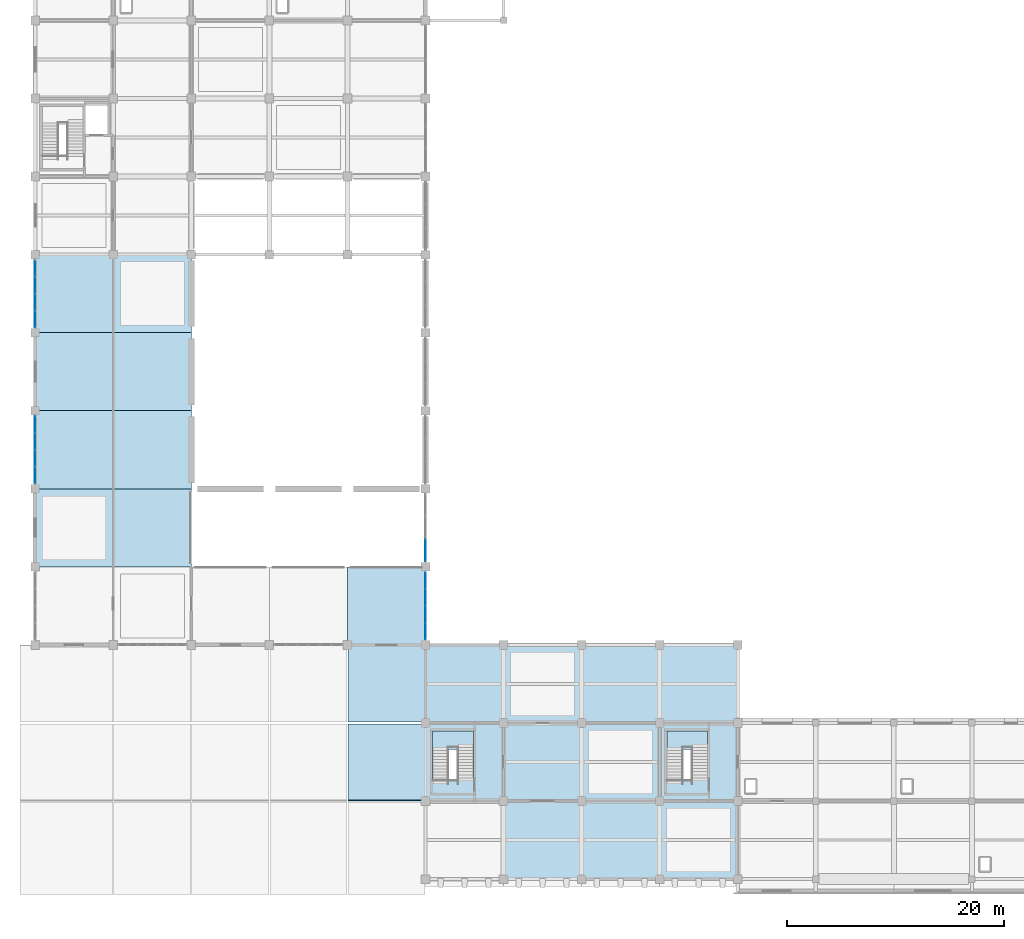
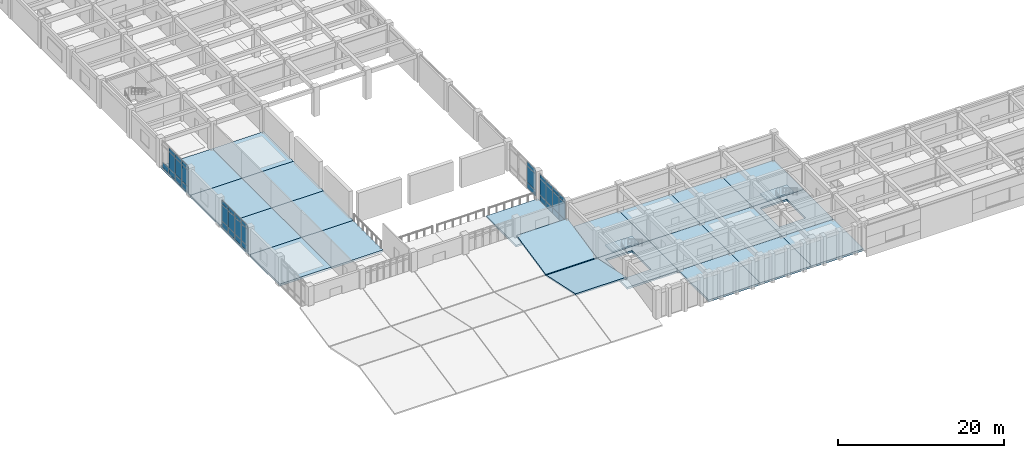
# One storey, part 33 of 70: 37 plates, 24 slabs, 6 elements without a shape of their own.
"""IFC4 building model written with IfcOpenShell, lengths in metres."""

from ifc_helpers import new_model, si_unit, direction, frame, origin, origin_2d, place, context, subcontext, project, spatial, polyline, rectangle, outline, extrude, material, layer, layer_set, type_object, element, aggregate, save


model = new_model("IFC4")

# Units and contexts
model_context = context("Model", 3, precision=1e-05, world=origin(), true_north=direction((0.0, 1.0)))
body_context = subcontext(model_context, "Body", "Model", "MODEL_VIEW")
ifc_project = project(units=[si_unit("LENGTHUNIT", "METRE"), si_unit("AREAUNIT", "SQUARE_METRE"), si_unit("VOLUMEUNIT", "CUBIC_METRE"), si_unit("PLANEANGLEUNIT", "RADIAN"), si_unit("MASSUNIT", "GRAM", prefix="KILO")], contexts=[model_context])

# Site, building, storey
site_placement = place(None, origin())
site = spatial("IfcSite", under=ifc_project, at=site_placement, CompositionType="ELEMENT")
building_placement = place(site_placement, origin())
building = spatial("IfcBuilding", under=site, at=building_placement, Name="Kavelor Marine Aquarium", CompositionType="ELEMENT")
storey_placement = place(building_placement, frame((0.0, 0.0, 9.179931640625)))
storey = spatial("IfcBuildingStorey", under=building, at=storey_placement, Name="L02", CompositionType="ELEMENT", Elevation=9.179931640625)

# Curtain wall, plates
ifc_material_1 = material(Name="Thermally Broken Aluminium and Low-E Glass", Category="aluminium")
ifc_layer_1 = layer(ifc_material_1, 0.251953125)
ifc_layer_set_1 = layer_set([ifc_layer_1], Name="CW-SYS14")
curtain_wall_type_1 = type_object("IfcCurtainWallType", Name="CW-SYS14", PredefinedType="USERDEFINED", material=ifc_layer_set_1)
curtain_wall_1_placement = place(storey_placement, origin())
curtain_wall_1 = element("IfcCurtainWall", 1, at=curtain_wall_1_placement, inside=storey, type_object=curtain_wall_type_1, Name="cw:y:L02:00_05", ObjectType="Curtain Wall", PredefinedType="USERDEFINED")
ifc_material_2 = material(Name="Solar-Control Double Low-E Glazing", Category="glass")
ifc_layer_2 = layer(ifc_material_2, 0.052001953125)
ifc_layer_set_2 = layer_set([ifc_layer_2], Name="CWP-14")
plate_type_1 = type_object("IfcPlateType", Name="CWP-14", PredefinedType="CURTAIN_PANEL", material=ifc_layer_set_2)
plate_1_placement = place(storey_placement, frame((3.199951171875, 44.75, 0.06494140625), z_axis=(0.0, 0.0, 1.0), x_axis=(0.0, -1.0, 0.0)))
plate_1 = element("IfcPlate", 2, at=plate_1_placement, type_object=plate_type_1, Name="CW14 panel 1.1", PredefinedType="CURTAIN_PANEL", context=body_context, shape_type="SweptSolid", body=[
    extrude(rectangle(XDim=1.47998046875, YDim=0.052001953125, at=origin_2d()), origin(), (0.0, 0.0, 1.0), 0.802490234375),
])
plate_2_placement = place(storey_placement, frame((3.199951171875, 44.75, 0.9326171875), z_axis=(0.0, 0.0, 1.0), x_axis=(0.0, -1.0, 0.0)))
plate_2 = element("IfcPlate", 3, at=plate_2_placement, type_object=plate_type_1, Name="CW14 panel 1.2", PredefinedType="CURTAIN_PANEL", context=body_context, shape_type="SweptSolid", body=[
    extrude(rectangle(XDim=1.47998046875, YDim=0.052001953125, at=origin_2d()), origin(), (0.0, 0.0, 1.0), 2.405029296875),
])
plate_3_placement = place(storey_placement, frame((3.199951171875, 44.75, 3.40234375), z_axis=(0.0, 0.0, 1.0), x_axis=(0.0, -1.0, 0.0)))
plate_3 = element("IfcPlate", 4, at=plate_3_placement, type_object=plate_type_1, Name="CW14 panel 1.3", PredefinedType="CURTAIN_PANEL", context=body_context, shape_type="SweptSolid", body=[
    extrude(rectangle(XDim=1.47998046875, YDim=0.052001953125, at=origin_2d()), origin(), (0.0, 0.0, 1.0), 0.552490234375),
])
plate_4_placement = place(storey_placement, frame((3.199951171875, 43.188720703125, 0.06494140625), z_axis=(0.0, 0.0, 1.0), x_axis=(0.0, -1.0, 0.0)))
plate_4 = element("IfcPlate", 5, at=plate_4_placement, type_object=plate_type_1, Name="CW14 panel 2.1", PredefinedType="CURTAIN_PANEL", context=body_context, shape_type="SweptSolid", body=[
    extrude(rectangle(XDim=1.512451171875, YDim=0.052001953125, at=origin_2d()), origin(), (0.0, 0.0, 1.0), 0.802490234375),
])
plate_5_placement = place(storey_placement, frame((3.199951171875, 43.188720703125, 0.9326171875), z_axis=(0.0, 0.0, 1.0), x_axis=(0.0, -1.0, 0.0)))
plate_5 = element("IfcPlate", 6, at=plate_5_placement, type_object=plate_type_1, Name="CW14 panel 2.2", PredefinedType="CURTAIN_PANEL", context=body_context, shape_type="SweptSolid", body=[
    extrude(rectangle(XDim=1.512451171875, YDim=0.052001953125, at=origin_2d()), origin(), (0.0, 0.0, 1.0), 2.405029296875),
])
plate_6_placement = place(storey_placement, frame((3.199951171875, 43.188720703125, 3.40234375), z_axis=(0.0, 0.0, 1.0), x_axis=(0.0, -1.0, 0.0)))
plate_6 = element("IfcPlate", 7, at=plate_6_placement, type_object=plate_type_1, Name="CW14 panel 2.3", PredefinedType="CURTAIN_PANEL", context=body_context, shape_type="SweptSolid", body=[
    extrude(rectangle(XDim=1.512451171875, YDim=0.052001953125, at=origin_2d()), origin(), (0.0, 0.0, 1.0), 0.552490234375),
])
plate_7_placement = place(storey_placement, frame((3.199951171875, 41.611328125, 0.06494140625), z_axis=(0.0, 0.0, 1.0), x_axis=(0.0, -1.0, 0.0)))
plate_7 = element("IfcPlate", 8, at=plate_7_placement, type_object=plate_type_1, Name="CW14 panel 3.1", PredefinedType="CURTAIN_PANEL", context=body_context, shape_type="SweptSolid", body=[
    extrude(rectangle(XDim=1.512451171875, YDim=0.052001953125, at=origin_2d()), origin(), (0.0, 0.0, 1.0), 0.802490234375),
])
plate_8_placement = place(storey_placement, frame((3.199951171875, 41.611328125, 0.9326171875), z_axis=(0.0, 0.0, 1.0), x_axis=(0.0, -1.0, 0.0)))
plate_8 = element("IfcPlate", 9, at=plate_8_placement, type_object=plate_type_1, Name="CW14 panel 3.2", PredefinedType="CURTAIN_PANEL", context=body_context, shape_type="SweptSolid", body=[
    extrude(rectangle(XDim=1.512451171875, YDim=0.052001953125, at=origin_2d()), origin(), (0.0, 0.0, 1.0), 2.405029296875),
])
plate_9_placement = place(storey_placement, frame((3.199951171875, 41.611328125, 3.40234375), z_axis=(0.0, 0.0, 1.0), x_axis=(0.0, -1.0, 0.0)))
plate_9 = element("IfcPlate", 10, at=plate_9_placement, type_object=plate_type_1, Name="CW14 panel 3.3", PredefinedType="CURTAIN_PANEL", context=body_context, shape_type="SweptSolid", body=[
    extrude(rectangle(XDim=1.512451171875, YDim=0.052001953125, at=origin_2d()), origin(), (0.0, 0.0, 1.0), 0.552490234375),
])
plate_10_placement = place(storey_placement, frame((3.199951171875, 40.050048828125, 0.06494140625), z_axis=(0.0, 0.0, 1.0), x_axis=(0.0, -1.0, 0.0)))
plate_10 = element("IfcPlate", 11, at=plate_10_placement, type_object=plate_type_1, Name="CW14 panel 4.1", PredefinedType="CURTAIN_PANEL", context=body_context, shape_type="SweptSolid", body=[
    extrude(rectangle(XDim=1.47998046875, YDim=0.052001953125, at=origin_2d()), origin(), (0.0, 0.0, 1.0), 0.802490234375),
])
plate_11_placement = place(storey_placement, frame((3.199951171875, 40.050048828125, 0.9326171875), z_axis=(0.0, 0.0, 1.0), x_axis=(0.0, -1.0, 0.0)))
plate_11 = element("IfcPlate", 12, at=plate_11_placement, type_object=plate_type_1, Name="CW14 panel 4.2", PredefinedType="CURTAIN_PANEL", context=body_context, shape_type="SweptSolid", body=[
    extrude(rectangle(XDim=1.47998046875, YDim=0.052001953125, at=origin_2d()), origin(), (0.0, 0.0, 1.0), 2.405029296875),
])
plate_12_placement = place(storey_placement, frame((3.199951171875, 40.050048828125, 3.40234375), z_axis=(0.0, 0.0, 1.0), x_axis=(0.0, -1.0, 0.0)))
plate_12 = element("IfcPlate", 13, at=plate_12_placement, type_object=plate_type_1, Name="CW14 panel 4.3", PredefinedType="CURTAIN_PANEL", context=body_context, shape_type="SweptSolid", body=[
    extrude(rectangle(XDim=1.47998046875, YDim=0.052001953125, at=origin_2d()), origin(), (0.0, 0.0, 1.0), 0.552490234375),
])
aggregate(curtain_wall_1, [plate_1, plate_2, plate_3, plate_4, plate_5, plate_6, plate_7, plate_8, plate_9, plate_10, plate_11, plate_12])

ifc_material_3 = material(Name="Thermally Broken Aluminium and Low-E Glass", Category="aluminium")
ifc_layer_3 = layer(ifc_material_3, 0.260009765625)
ifc_layer_set_3 = layer_set([ifc_layer_3], Name="CW-SYS15")
curtain_wall_type_2 = type_object("IfcCurtainWallType", Name="CW-SYS15", PredefinedType="USERDEFINED", material=ifc_layer_set_3)
curtain_wall_2_placement = place(storey_placement, origin())
curtain_wall_2 = element("IfcCurtainWall", 14, at=curtain_wall_2_placement, inside=storey, type_object=curtain_wall_type_2, Name="cw:y:L02:00_07", ObjectType="Curtain Wall", PredefinedType="USERDEFINED")
ifc_material_4 = material(Name="Solar-Control Double Low-E Glazing", Category="glass")
ifc_layer_4 = layer(ifc_material_4, 0.053955078125)
ifc_layer_set_4 = layer_set([ifc_layer_4], Name="CWP-15")
plate_type_2 = type_object("IfcPlateType", Name="CWP-15", PredefinedType="CURTAIN_PANEL", material=ifc_layer_set_4)
plate_13_placement = place(storey_placement, frame((3.199951171875, 59.1513671875, 0.06494140625), z_axis=(0.0, 0.0, 1.0), x_axis=(0.0, -1.0, 0.0)))
plate_13 = element("IfcPlate", 15, at=plate_13_placement, type_object=plate_type_2, Name="CW15 panel 1.1", PredefinedType="CURTAIN_PANEL", context=body_context, shape_type="SweptSolid", body=[
    extrude(rectangle(XDim=1.487548828125, YDim=0.053955078125, at=origin_2d()), origin(), (0.0, 0.0, 1.0), 0.802490234375),
])
plate_14_placement = place(storey_placement, frame((3.199951171875, 57.5888671875, 0.06494140625), z_axis=(0.0, 0.0, 1.0), x_axis=(0.0, -1.0, 0.0)))
plate_14 = element("IfcPlate", 16, at=plate_14_placement, type_object=plate_type_2, Name="CW15 panel 2.1", PredefinedType="CURTAIN_PANEL", context=body_context, shape_type="SweptSolid", body=[
    extrude(rectangle(XDim=1.517578125, YDim=0.053955078125, at=origin_2d()), origin(), (0.0, 0.0, 1.0), 0.802490234375),
])
plate_15_placement = place(storey_placement, frame((3.199951171875, 57.5888671875, 0.9326171875), z_axis=(0.0, 0.0, 1.0), x_axis=(0.0, -1.0, 0.0)))
plate_15 = element("IfcPlate", 17, at=plate_15_placement, type_object=plate_type_2, Name="CW15 panel 2.2", PredefinedType="CURTAIN_PANEL", context=body_context, shape_type="SweptSolid", body=[
    extrude(rectangle(XDim=1.517578125, YDim=0.053955078125, at=origin_2d()), origin(), (0.0, 0.0, 1.0), 2.405029296875),
])
plate_16_placement = place(storey_placement, frame((3.199951171875, 57.5888671875, 3.40234375), z_axis=(0.0, 0.0, 1.0), x_axis=(0.0, -1.0, 0.0)))
plate_16 = element("IfcPlate", 18, at=plate_16_placement, type_object=plate_type_2, Name="CW15 panel 2.3", PredefinedType="CURTAIN_PANEL", context=body_context, shape_type="SweptSolid", body=[
    extrude(rectangle(XDim=1.517578125, YDim=0.053955078125, at=origin_2d()), origin(), (0.0, 0.0, 1.0), 0.552490234375),
])
plate_17_placement = place(storey_placement, frame((3.199951171875, 56.01123046875, 0.06494140625), z_axis=(0.0, 0.0, 1.0), x_axis=(0.0, -1.0, 0.0)))
plate_17 = element("IfcPlate", 19, at=plate_17_placement, type_object=plate_type_2, Name="CW15 panel 3.1", PredefinedType="CURTAIN_PANEL", context=body_context, shape_type="SweptSolid", body=[
    extrude(rectangle(XDim=1.517578125, YDim=0.053955078125, at=origin_2d()), origin(), (0.0, 0.0, 1.0), 0.802490234375),
])
plate_18_placement = place(storey_placement, frame((3.199951171875, 56.01123046875, 0.9326171875), z_axis=(0.0, 0.0, 1.0), x_axis=(0.0, -1.0, 0.0)))
plate_18 = element("IfcPlate", 20, at=plate_18_placement, type_object=plate_type_2, Name="CW15 panel 3.2", PredefinedType="CURTAIN_PANEL", context=body_context, shape_type="SweptSolid", body=[
    extrude(rectangle(XDim=1.517578125, YDim=0.053955078125, at=origin_2d()), origin(), (0.0, 0.0, 1.0), 2.405029296875),
])
plate_19_placement = place(storey_placement, frame((3.199951171875, 56.01123046875, 3.40234375), z_axis=(0.0, 0.0, 1.0), x_axis=(0.0, -1.0, 0.0)))
plate_19 = element("IfcPlate", 21, at=plate_19_placement, type_object=plate_type_2, Name="CW15 panel 3.3", PredefinedType="CURTAIN_PANEL", context=body_context, shape_type="SweptSolid", body=[
    extrude(rectangle(XDim=1.517578125, YDim=0.053955078125, at=origin_2d()), origin(), (0.0, 0.0, 1.0), 0.552490234375),
])
plate_20_placement = place(storey_placement, frame((3.199951171875, 54.44873046875, 0.06494140625), z_axis=(0.0, 0.0, 1.0), x_axis=(0.0, -1.0, 0.0)))
plate_20 = element("IfcPlate", 22, at=plate_20_placement, type_object=plate_type_2, Name="CW15 panel 4.1", PredefinedType="CURTAIN_PANEL", context=body_context, shape_type="SweptSolid", body=[
    extrude(rectangle(XDim=1.487548828125, YDim=0.053955078125, at=origin_2d()), origin(), (0.0, 0.0, 1.0), 0.802490234375),
])
plate_21_placement = place(storey_placement, frame((3.199951171875, 54.44873046875, 0.9326171875), z_axis=(0.0, 0.0, 1.0), x_axis=(0.0, -1.0, 0.0)))
plate_21 = element("IfcPlate", 23, at=plate_21_placement, type_object=plate_type_2, Name="CW15 panel 4.2", PredefinedType="CURTAIN_PANEL", context=body_context, shape_type="SweptSolid", body=[
    extrude(rectangle(XDim=1.487548828125, YDim=0.053955078125, at=origin_2d()), origin(), (0.0, 0.0, 1.0), 2.405029296875),
])
plate_22_placement = place(storey_placement, frame((3.199951171875, 54.44873046875, 3.40234375), z_axis=(0.0, 0.0, 1.0), x_axis=(0.0, -1.0, 0.0)))
plate_22 = element("IfcPlate", 24, at=plate_22_placement, type_object=plate_type_2, Name="CW15 panel 4.3", PredefinedType="CURTAIN_PANEL", context=body_context, shape_type="SweptSolid", body=[
    extrude(rectangle(XDim=1.487548828125, YDim=0.053955078125, at=origin_2d()), origin(), (0.0, 0.0, 1.0), 0.552490234375),
])
aggregate(curtain_wall_2, [plate_13, plate_14, plate_15, plate_16, plate_17, plate_18, plate_19, plate_20, plate_21, plate_22])

ifc_material_5 = material(Name="Thermally Broken Aluminium and Low-E Glass", Category="aluminium")
ifc_layer_5 = layer(ifc_material_5, 0.26806640625)
ifc_layer_set_5 = layer_set([ifc_layer_5], Name="CW-SYS16")
curtain_wall_type_3 = type_object("IfcCurtainWallType", Name="CW-SYS16", PredefinedType="USERDEFINED", material=ifc_layer_set_5)
curtain_wall_3_placement = place(storey_placement, origin())
curtain_wall_3 = element("IfcCurtainWall", 25, at=curtain_wall_3_placement, inside=storey, type_object=curtain_wall_type_3, Name="cw:y:L02:05_03", ObjectType="Curtain Wall", PredefinedType="USERDEFINED")
ifc_material_6 = material(Name="Solar-Control Double Low-E Glazing", Category="glass")
ifc_layer_6 = layer(ifc_material_6, 0.055908203125)
ifc_layer_set_6 = layer_set([ifc_layer_6], Name="CWP-16")
plate_type_3 = type_object("IfcPlateType", Name="CWP-16", PredefinedType="CURTAIN_PANEL", material=ifc_layer_set_6)
plate_23_placement = place(storey_placement, frame((39.199951171875, 25.652587890625, 0.06005859375), z_axis=(0.0, 0.0, 1.0), x_axis=(0.0, 1.0, 0.0)))
plate_23 = element("IfcPlate", 26, at=plate_23_placement, type_object=plate_type_3, Name="CW16 panel 1.1", PredefinedType="CURTAIN_PANEL", context=body_context, shape_type="SweptSolid", body=[
    extrude(rectangle(XDim=1.465087890625, YDim=0.055908203125, at=origin_2d()), origin(), (0.0, 0.0, 1.0), 0.81005859375),
])
plate_24_placement = place(storey_placement, frame((39.199951171875, 25.652587890625, 0.93017578125), z_axis=(0.0, 0.0, 1.0), x_axis=(0.0, 1.0, 0.0)))
plate_24 = element("IfcPlate", 27, at=plate_24_placement, type_object=plate_type_3, Name="CW16 panel 1.2", PredefinedType="CURTAIN_PANEL", context=body_context, shape_type="SweptSolid", body=[
    extrude(rectangle(XDim=1.465087890625, YDim=0.055908203125, at=origin_2d()), origin(), (0.0, 0.0, 1.0), 2.409912109375),
])
plate_25_placement = place(storey_placement, frame((39.199951171875, 25.652587890625, 3.400146484375), z_axis=(0.0, 0.0, 1.0), x_axis=(0.0, 1.0, 0.0)))
plate_25 = element("IfcPlate", 28, at=plate_25_placement, type_object=plate_type_3, Name="CW16 panel 1.3", PredefinedType="CURTAIN_PANEL", context=body_context, shape_type="SweptSolid", body=[
    extrude(rectangle(XDim=1.465087890625, YDim=0.055908203125, at=origin_2d()), origin(), (0.0, 0.0, 1.0), 0.56005859375),
])
plate_26_placement = place(storey_placement, frame((39.199951171875, 27.211181640625, 0.06005859375), z_axis=(0.0, 0.0, 1.0), x_axis=(0.0, 1.0, 0.0)))
plate_26 = element("IfcPlate", 29, at=plate_26_placement, type_object=plate_type_3, Name="CW16 panel 2.1", PredefinedType="CURTAIN_PANEL", context=body_context, shape_type="SweptSolid", body=[
    extrude(rectangle(XDim=1.50244140625, YDim=0.055908203125, at=origin_2d()), origin(), (0.0, 0.0, 1.0), 0.81005859375),
])
plate_27_placement = place(storey_placement, frame((39.199951171875, 27.211181640625, 0.93017578125), z_axis=(0.0, 0.0, 1.0), x_axis=(0.0, 1.0, 0.0)))
plate_27 = element("IfcPlate", 30, at=plate_27_placement, type_object=plate_type_3, Name="CW16 panel 2.2", PredefinedType="CURTAIN_PANEL", context=body_context, shape_type="SweptSolid", body=[
    extrude(rectangle(XDim=1.50244140625, YDim=0.055908203125, at=origin_2d()), origin(), (0.0, 0.0, 1.0), 2.409912109375),
])
plate_28_placement = place(storey_placement, frame((39.199951171875, 27.211181640625, 3.400146484375), z_axis=(0.0, 0.0, 1.0), x_axis=(0.0, 1.0, 0.0)))
plate_28 = element("IfcPlate", 31, at=plate_28_placement, type_object=plate_type_3, Name="CW16 panel 2.3", PredefinedType="CURTAIN_PANEL", context=body_context, shape_type="SweptSolid", body=[
    extrude(rectangle(XDim=1.50244140625, YDim=0.055908203125, at=origin_2d()), origin(), (0.0, 0.0, 1.0), 0.56005859375),
])
plate_29_placement = place(storey_placement, frame((39.199951171875, 28.788818359375, 0.06005859375), z_axis=(0.0, 0.0, 1.0), x_axis=(0.0, 1.0, 0.0)))
plate_29 = element("IfcPlate", 32, at=plate_29_placement, type_object=plate_type_3, Name="CW16 panel 3.1", PredefinedType="CURTAIN_PANEL", context=body_context, shape_type="SweptSolid", body=[
    extrude(rectangle(XDim=1.50244140625, YDim=0.055908203125, at=origin_2d()), origin(), (0.0, 0.0, 1.0), 0.81005859375),
])
plate_30_placement = place(storey_placement, frame((39.199951171875, 28.788818359375, 0.93017578125), z_axis=(0.0, 0.0, 1.0), x_axis=(0.0, 1.0, 0.0)))
plate_30 = element("IfcPlate", 33, at=plate_30_placement, type_object=plate_type_3, Name="CW16 panel 3.2", PredefinedType="CURTAIN_PANEL", context=body_context, shape_type="SweptSolid", body=[
    extrude(rectangle(XDim=1.50244140625, YDim=0.055908203125, at=origin_2d()), origin(), (0.0, 0.0, 1.0), 2.409912109375),
])
plate_31_placement = place(storey_placement, frame((39.199951171875, 28.788818359375, 3.400146484375), z_axis=(0.0, 0.0, 1.0), x_axis=(0.0, 1.0, 0.0)))
plate_31 = element("IfcPlate", 34, at=plate_31_placement, type_object=plate_type_3, Name="CW16 panel 3.3", PredefinedType="CURTAIN_PANEL", context=body_context, shape_type="SweptSolid", body=[
    extrude(rectangle(XDim=1.50244140625, YDim=0.055908203125, at=origin_2d()), origin(), (0.0, 0.0, 1.0), 0.56005859375),
])
plate_32_placement = place(storey_placement, frame((39.199951171875, 30.347412109375, 0.06005859375), z_axis=(0.0, 0.0, 1.0), x_axis=(0.0, 1.0, 0.0)))
plate_32 = element("IfcPlate", 35, at=plate_32_placement, type_object=plate_type_3, Name="CW16 panel 4.1", PredefinedType="CURTAIN_PANEL", context=body_context, shape_type="SweptSolid", body=[
    extrude(rectangle(XDim=1.465087890625, YDim=0.055908203125, at=origin_2d()), origin(), (0.0, 0.0, 1.0), 0.81005859375),
])
plate_33_placement = place(storey_placement, frame((39.199951171875, 30.347412109375, 0.93017578125), z_axis=(0.0, 0.0, 1.0), x_axis=(0.0, 1.0, 0.0)))
plate_33 = element("IfcPlate", 36, at=plate_33_placement, type_object=plate_type_3, Name="CW16 panel 4.2", PredefinedType="CURTAIN_PANEL", context=body_context, shape_type="SweptSolid", body=[
    extrude(rectangle(XDim=1.465087890625, YDim=0.055908203125, at=origin_2d()), origin(), (0.0, 0.0, 1.0), 2.409912109375),
])
plate_34_placement = place(storey_placement, frame((39.199951171875, 30.347412109375, 3.400146484375), z_axis=(0.0, 0.0, 1.0), x_axis=(0.0, 1.0, 0.0)))
plate_34 = element("IfcPlate", 37, at=plate_34_placement, type_object=plate_type_3, Name="CW16 panel 4.3", PredefinedType="CURTAIN_PANEL", context=body_context, shape_type="SweptSolid", body=[
    extrude(rectangle(XDim=1.465087890625, YDim=0.055908203125, at=origin_2d()), origin(), (0.0, 0.0, 1.0), 0.56005859375),
])
aggregate(curtain_wall_3, [plate_23, plate_24, plate_25, plate_26, plate_27, plate_28, plate_29, plate_30, plate_31, plate_32, plate_33, plate_34])

ifc_material_7 = material(Name="Thermally Broken Aluminium and Low-E Glass", Category="aluminium")
ifc_layer_7 = layer(ifc_material_7, 0.27587890625)
ifc_layer_set_7 = layer_set([ifc_layer_7], Name="CW-SYS17")
curtain_wall_type_4 = type_object("IfcCurtainWallType", Name="CW-SYS17", PredefinedType="USERDEFINED", material=ifc_layer_set_7)
curtain_wall_4_placement = place(storey_placement, origin())
curtain_wall_4 = element("IfcCurtainWall", 38, at=curtain_wall_4_placement, inside=storey, type_object=curtain_wall_type_4, Name="cw:y:L02:05_04", ObjectType="Curtain Wall", PredefinedType="USERDEFINED")
ifc_material_8 = material(Name="Solar-Control Double Low-E Glazing", Category="glass")
ifc_layer_8 = layer(ifc_material_8, 0.05810546875)
ifc_layer_set_8 = layer_set([ifc_layer_8], Name="CWP-17")
plate_type_4 = type_object("IfcPlateType", Name="CWP-17", PredefinedType="CURTAIN_PANEL", material=ifc_layer_set_8)
plate_35_placement = place(storey_placement, frame((39.199951171875, 33.113037109375, 0.06005859375), z_axis=(0.0, 0.0, 1.0), x_axis=(0.0, 1.0, 0.0)))
plate_35 = element("IfcPlate", 39, at=plate_35_placement, type_object=plate_type_4, Name="CW17 panel 1.1", PredefinedType="CURTAIN_PANEL", context=body_context, shape_type="SweptSolid", body=[
    extrude(rectangle(XDim=2.005859375, YDim=0.05810546875, at=origin_2d()), origin(), (0.0, 0.0, 1.0), 0.81005859375),
])
plate_36_placement = place(storey_placement, frame((39.199951171875, 33.113037109375, 0.93017578125), z_axis=(0.0, 0.0, 1.0), x_axis=(0.0, 1.0, 0.0)))
plate_36 = element("IfcPlate", 40, at=plate_36_placement, type_object=plate_type_4, Name="CW17 panel 1.2", PredefinedType="CURTAIN_PANEL", context=body_context, shape_type="SweptSolid", body=[
    extrude(rectangle(XDim=2.005859375, YDim=0.05810546875, at=origin_2d()), origin(), (0.0, 0.0, 1.0), 2.409912109375),
])
plate_37_placement = place(storey_placement, frame((39.199951171875, 33.113037109375, 3.400146484375), z_axis=(0.0, 0.0, 1.0), x_axis=(0.0, 1.0, 0.0)))
plate_37 = element("IfcPlate", 41, at=plate_37_placement, type_object=plate_type_4, Name="CW17 panel 1.3", PredefinedType="CURTAIN_PANEL", context=body_context, shape_type="SweptSolid", body=[
    extrude(rectangle(XDim=2.005859375, YDim=0.05810546875, at=origin_2d()), origin(), (0.0, 0.0, 1.0), 0.56005859375),
])
aggregate(curtain_wall_4, [plate_35, plate_36, plate_37])

# Stair, slab
ifc_material_9 = material(Name="Concrete C40/50", Category="concrete")
stair_type = type_object("IfcStairType", Name="ST-T3", PredefinedType="HALF_TURN_STAIR", material=ifc_material_9)
stair_1_placement = place(storey_placement, origin())
stair_1 = element("IfcStair", 42, at=stair_1_placement, inside=storey, type_object=stair_type, Name="Exit Stair ST04 (L02)", PredefinedType="HALF_TURN_STAIR")
ifc_material_10 = material(Name="Concrete C40/50", Category="concrete")
ifc_layer_9 = layer(ifc_material_10, 0.199951171875)
ifc_layer_set_9 = layer_set([ifc_layer_9], Name="LND-T3")
slab_type_1 = type_object("IfcSlabType", Name="LND-T3", PredefinedType="LANDING", material=ifc_layer_set_9)
slab_1_placement = place(storey_placement, frame((0.0, 0.0, 1.9599609375)))
slab_1 = element("IfcSlab", 43, at=slab_1_placement, type_object=slab_type_1, Name="ST04 landing 1", PredefinedType="LANDING", context=body_context, shape_type="SweptSolid", body=[
    extrude(outline(polyline([(39.860107421875, 14.763916015625), (43.6201171875, 14.763916015625), (43.6201171875, 16.4599609375), (39.860107421875, 16.4599609375), (39.860107421875, 14.763916015625)])), origin(), (0.0, 0.0, 1.0), 0.2001953125),
])
aggregate(stair_1, [slab_1])

stair_2_placement = place(storey_placement, origin())
stair_2 = element("IfcStair", 44, at=stair_2_placement, inside=storey, type_object=stair_type, Name="Exit Stair ST12 (L02)", PredefinedType="HALF_TURN_STAIR")
slab_2_placement = place(storey_placement, frame((0.0, 0.0, 1.9599609375)))
slab_2 = element("IfcSlab", 45, at=slab_2_placement, type_object=slab_type_1, Name="ST12 landing 1", PredefinedType="LANDING", context=body_context, shape_type="SweptSolid", body=[
    extrude(outline(polyline([(61.4599609375, 14.763916015625), (65.219970703125, 14.763916015625), (65.219970703125, 16.4599609375), (61.4599609375, 16.4599609375), (61.4599609375, 14.763916015625)])), origin(), (0.0, 0.0, 1.0), 0.2001953125),
])
aggregate(stair_2, [slab_2])

# Slabs
ifc_material_11 = material(Name="Concrete C40/50", Category="concrete")
ifc_layer_10 = layer(ifc_material_11, 0.300048828125)
ifc_layer_set_10 = layer_set([ifc_layer_10], Name="SL-FL1")
slab_type_2 = type_object("IfcSlabType", Name="SL-FL1", PredefinedType="FLOOR", material=ifc_layer_set_10)
slab_3_placement = place(storey_placement, frame((0.0, 0.0, -0.300048828125)))
element("IfcSlab", 46, at=slab_3_placement, inside=storey, type_object=slab_type_2, Name="slab:L02:00_04", PredefinedType="FLOOR", context=body_context, shape_type="SweptSolid", body=[
    extrude(outline(polyline([(3.199951171875, 31.60009765625), (10.39990234375, 31.60009765625), (10.39990234375, 38.800048828125), (3.199951171875, 38.800048828125), (3.199951171875, 31.60009765625)])), origin(), (0.0, 0.0, 1.0), 0.300048828125),
])
slab_4_placement = place(storey_placement, frame((0.0, 0.0, -0.300048828125)))
element("IfcSlab", 47, at=slab_4_placement, inside=storey, type_object=slab_type_2, Name="slab:L02:00_06", PredefinedType="FLOOR", context=body_context, shape_type="SweptSolid", body=[
    extrude(outline(polyline([(3.199951171875, 46.0), (10.39990234375, 46.0), (10.39990234375, 53.199951171875), (3.199951171875, 53.199951171875), (3.199951171875, 46.0)])), origin(), (0.0, 0.0, 1.0), 0.300048828125),
])
slab_5_placement = place(storey_placement, frame((0.0, 0.0, -0.300048828125)))
element("IfcSlab", 48, at=slab_5_placement, inside=storey, type_object=slab_type_2, Name="slab:L02:01_05", PredefinedType="FLOOR", context=body_context, shape_type="SweptSolid", body=[
    extrude(outline(polyline([(10.39990234375, 38.800048828125), (17.60009765625, 38.800048828125), (17.60009765625, 46.0), (10.39990234375, 46.0), (10.39990234375, 38.800048828125)])), origin(), (0.0, 0.0, 1.0), 0.300048828125),
])
slab_6_placement = place(storey_placement, frame((0.0, 0.0, -0.300048828125)))
element("IfcSlab", 49, at=slab_6_placement, inside=storey, type_object=slab_type_2, Name="slab:L02:01_07", PredefinedType="FLOOR", context=body_context, shape_type="SweptSolid", body=[
    extrude(outline(polyline([(10.39990234375, 53.199951171875), (17.60009765625, 53.199951171875), (17.60009765625, 60.39990234375), (10.39990234375, 60.39990234375), (10.39990234375, 53.199951171875)])), origin(), (0.0, 0.0, 1.0), 0.300048828125),
])
slab_7_placement = place(storey_placement, frame((0.0, 0.0, -0.300048828125)))
element("IfcSlab", 50, at=slab_7_placement, inside=storey, type_object=slab_type_2, Name="slab:L02:05_01", PredefinedType="FLOOR", context=body_context, shape_type="SweptSolid", body=[
    extrude(outline(polyline([(39.199951171875, 10.0), (46.39990234375, 10.0), (46.39990234375, 17.199951171875), (39.199951171875, 17.199951171875), (39.199951171875, 10.0)]), holes=[polyline([(39.8798828125, 11.883056640625), (43.60009765625, 11.883056640625), (43.60009765625, 16.469970703125), (39.8798828125, 16.469970703125), (39.8798828125, 11.883056640625)])]), origin(), (0.0, 0.0, 1.0), 0.300048828125),
])
slab_8_placement = place(storey_placement, frame((0.0, 0.0, -0.300048828125)))
element("IfcSlab", 51, at=slab_8_placement, inside=storey, type_object=slab_type_2, Name="slab:L02:06_00", PredefinedType="FLOOR", context=body_context, shape_type="SweptSolid", body=[
    extrude(outline(polyline([(46.39990234375, 2.800048828125), (53.60009765625, 2.800048828125), (53.60009765625, 10.0), (46.39990234375, 10.0), (46.39990234375, 2.800048828125)])), origin(), (0.0, 0.0, 1.0), 0.300048828125),
])
slab_9_placement = place(storey_placement, frame((0.0, 0.0, -0.300048828125)))
element("IfcSlab", 52, at=slab_9_placement, inside=storey, type_object=slab_type_2, Name="slab:L02:06_02", PredefinedType="FLOOR", context=body_context, shape_type="SweptSolid", body=[
    extrude(outline(polyline([(46.39990234375, 17.199951171875), (53.60009765625, 17.199951171875), (53.60009765625, 24.39990234375), (46.39990234375, 24.39990234375), (46.39990234375, 17.199951171875)])), origin(), (0.0, 0.0, 1.0), 0.300048828125),
])
slab_10_placement = place(storey_placement, frame((0.0, 0.0, -0.300048828125)))
element("IfcSlab", 53, at=slab_10_placement, inside=storey, type_object=slab_type_2, Name="slab:L02:07_01", PredefinedType="FLOOR", context=body_context, shape_type="SweptSolid", body=[
    extrude(outline(polyline([(53.60009765625, 10.0), (60.800048828125, 10.0), (60.800048828125, 17.199951171875), (53.60009765625, 17.199951171875), (53.60009765625, 10.0)])), origin(), (0.0, 0.0, 1.0), 0.300048828125),
])
slab_11_placement = place(storey_placement, frame((0.0, 0.0, -0.300048828125)))
element("IfcSlab", 54, at=slab_11_placement, inside=storey, type_object=slab_type_2, Name="slab:L02:08_00", PredefinedType="FLOOR", context=body_context, shape_type="SweptSolid", body=[
    extrude(outline(polyline([(60.800048828125, 2.800048828125), (68.0, 2.800048828125), (68.0, 10.0), (60.800048828125, 10.0), (60.800048828125, 2.800048828125)])), origin(), (0.0, 0.0, 1.0), 0.300048828125),
])
slab_12_placement = place(storey_placement, frame((0.0, 0.0, -0.300048828125)))
element("IfcSlab", 55, at=slab_12_placement, inside=storey, type_object=slab_type_2, Name="slab:L02:08_02", PredefinedType="FLOOR", context=body_context, shape_type="SweptSolid", body=[
    extrude(outline(polyline([(60.800048828125, 17.199951171875), (68.0, 17.199951171875), (68.0, 24.39990234375), (60.800048828125, 24.39990234375), (60.800048828125, 17.199951171875)])), origin(), (0.0, 0.0, 1.0), 0.300048828125),
])
ifc_material_12 = material(Name="Concrete C40/50", Category="concrete")
ifc_layer_11 = layer(ifc_material_12, 0.280029296875)
ifc_layer_set_11 = layer_set([ifc_layer_11], Name="SL-FL2")
slab_type_3 = type_object("IfcSlabType", Name="SL-FL2", PredefinedType="FLOOR", material=ifc_layer_set_11)
slab_13_placement = place(storey_placement, frame((0.0, 0.0, -0.280029296875)))
element("IfcSlab", 56, at=slab_13_placement, inside=storey, type_object=slab_type_3, Name="slab:L02:00_05", PredefinedType="FLOOR", context=body_context, shape_type="SweptSolid", body=[
    extrude(outline(polyline([(3.199951171875, 38.800048828125), (10.39990234375, 38.800048828125), (10.39990234375, 46.0), (3.199951171875, 46.0), (3.199951171875, 38.800048828125)])), origin(), (0.0, 0.0, 1.0), 0.280029296875),
])
slab_14_placement = place(storey_placement, frame((0.0, 0.0, -0.280029296875)))
element("IfcSlab", 57, at=slab_14_placement, inside=storey, type_object=slab_type_3, Name="slab:L02:00_07", PredefinedType="FLOOR", context=body_context, shape_type="SweptSolid", body=[
    extrude(outline(polyline([(3.199951171875, 53.199951171875), (10.39990234375, 53.199951171875), (10.39990234375, 60.39990234375), (3.199951171875, 60.39990234375), (3.199951171875, 53.199951171875)])), origin(), (0.0, 0.0, 1.0), 0.280029296875),
])
slab_15_placement = place(storey_placement, frame((0.0, 0.0, -0.280029296875)))
element("IfcSlab", 58, at=slab_15_placement, inside=storey, type_object=slab_type_3, Name="slab:L02:01_04", PredefinedType="FLOOR", context=body_context, shape_type="SweptSolid", body=[
    extrude(outline(polyline([(10.39990234375, 31.60009765625), (17.60009765625, 31.60009765625), (17.60009765625, 38.800048828125), (10.39990234375, 38.800048828125), (10.39990234375, 31.60009765625)])), origin(), (0.0, 0.0, 1.0), 0.280029296875),
])
slab_16_placement = place(storey_placement, frame((0.0, 0.0, -0.280029296875)))
element("IfcSlab", 59, at=slab_16_placement, inside=storey, type_object=slab_type_3, Name="slab:L02:01_06", PredefinedType="FLOOR", context=body_context, shape_type="SweptSolid", body=[
    extrude(outline(polyline([(10.39990234375, 46.0), (17.60009765625, 46.0), (17.60009765625, 53.199951171875), (10.39990234375, 53.199951171875), (10.39990234375, 46.0)])), origin(), (0.0, 0.0, 1.0), 0.280029296875),
])
slab_17_placement = place(storey_placement, frame((0.0, 0.0, -0.280029296875)))
element("IfcSlab", 60, at=slab_17_placement, inside=storey, type_object=slab_type_3, Name="slab:L02:04_03", PredefinedType="FLOOR", context=body_context, shape_type="SweptSolid", body=[
    extrude(outline(polyline([(32.0, 24.39990234375), (39.199951171875, 24.39990234375), (39.199951171875, 31.60009765625), (32.0, 31.60009765625), (32.0, 24.39990234375)])), origin(), (0.0, 0.0, 1.0), 0.280029296875),
])
slab_18_placement = place(storey_placement, frame((0.0, 0.0, -0.280029296875)))
element("IfcSlab", 61, at=slab_18_placement, inside=storey, type_object=slab_type_3, Name="slab:L02:05_02", PredefinedType="FLOOR", context=body_context, shape_type="SweptSolid", body=[
    extrude(outline(polyline([(39.199951171875, 17.199951171875), (46.39990234375, 17.199951171875), (46.39990234375, 24.39990234375), (39.199951171875, 24.39990234375), (39.199951171875, 17.199951171875)])), origin(), (0.0, 0.0, 1.0), 0.280029296875),
])
slab_19_placement = place(storey_placement, frame((0.0, 0.0, -0.280029296875)))
element("IfcSlab", 62, at=slab_19_placement, inside=storey, type_object=slab_type_3, Name="slab:L02:06_01", PredefinedType="FLOOR", context=body_context, shape_type="SweptSolid", body=[
    extrude(outline(polyline([(46.39990234375, 10.0), (53.60009765625, 10.0), (53.60009765625, 17.199951171875), (46.39990234375, 17.199951171875), (46.39990234375, 10.0)])), origin(), (0.0, 0.0, 1.0), 0.280029296875),
])
slab_20_placement = place(storey_placement, frame((0.0, 0.0, -0.280029296875)))
element("IfcSlab", 63, at=slab_20_placement, inside=storey, type_object=slab_type_3, Name="slab:L02:07_00", PredefinedType="FLOOR", context=body_context, shape_type="SweptSolid", body=[
    extrude(outline(polyline([(53.60009765625, 2.800048828125), (60.800048828125, 2.800048828125), (60.800048828125, 10.0), (53.60009765625, 10.0), (53.60009765625, 2.800048828125)])), origin(), (0.0, 0.0, 1.0), 0.280029296875),
])
slab_21_placement = place(storey_placement, frame((0.0, 0.0, -0.280029296875)))
element("IfcSlab", 64, at=slab_21_placement, inside=storey, type_object=slab_type_3, Name="slab:L02:07_02", PredefinedType="FLOOR", context=body_context, shape_type="SweptSolid", body=[
    extrude(outline(polyline([(53.60009765625, 17.199951171875), (60.800048828125, 17.199951171875), (60.800048828125, 24.39990234375), (53.60009765625, 24.39990234375), (53.60009765625, 17.199951171875)])), origin(), (0.0, 0.0, 1.0), 0.280029296875),
])
slab_22_placement = place(storey_placement, frame((0.0, 0.0, -0.280029296875)))
element("IfcSlab", 65, at=slab_22_placement, inside=storey, type_object=slab_type_3, Name="slab:L02:08_01", PredefinedType="FLOOR", context=body_context, shape_type="SweptSolid", body=[
    extrude(outline(polyline([(60.800048828125, 10.0), (68.0, 10.0), (68.0, 17.199951171875), (60.800048828125, 17.199951171875), (60.800048828125, 10.0)]), holes=[polyline([(61.47998046875, 11.883056640625), (65.199951171875, 11.883056640625), (65.199951171875, 16.469970703125), (61.47998046875, 16.469970703125), (61.47998046875, 11.883056640625)])]), origin(), (0.0, 0.0, 1.0), 0.280029296875),
])
ifc_material_13 = material(Name="Concrete C40/50", Category="concrete")
ifc_layer_12 = layer(ifc_material_13, 0.239990234375)
ifc_layer_set_12 = layer_set([ifc_layer_12], Name="SL-RF2")
slab_type_4 = type_object("IfcSlabType", Name="SL-RF2", PredefinedType="ROOF", material=ifc_layer_set_12)
for number, where, z_axis, x_axis, name in (
    (66, (32.0400390625, 10.074951171875, 1.5146484375), (0.0, 0.207911825918, 0.978147572017), (1.0, 0.0, 0.0), "roof:L02:04_01"),
    (67, (32.0400390625, 17.27490234375, 0.01611328125), (0.0, -0.207911825918, 0.978147572017), (1.0, 0.0, 0.0), "roof:L02:04_02"),
):
    element("IfcSlab", number, at=place(storey_placement, frame(where, z_axis=z_axis, x_axis=x_axis)), inside=storey, type_object=slab_type_4, Name=name, PredefinedType="ROOF", context=body_context, shape_type="SweptSolid", body=[
        extrude(outline(polyline([(0.0, 0.0), (7.119873046875, 0.0), (7.119873046875, 7.207551324372508), (0.0, 7.207551324372508), (0.0, 0.0)])), origin(), (0.0, 0.0, -1.0), 0.239990234375),
    ])

save(model, "model.ifc")
